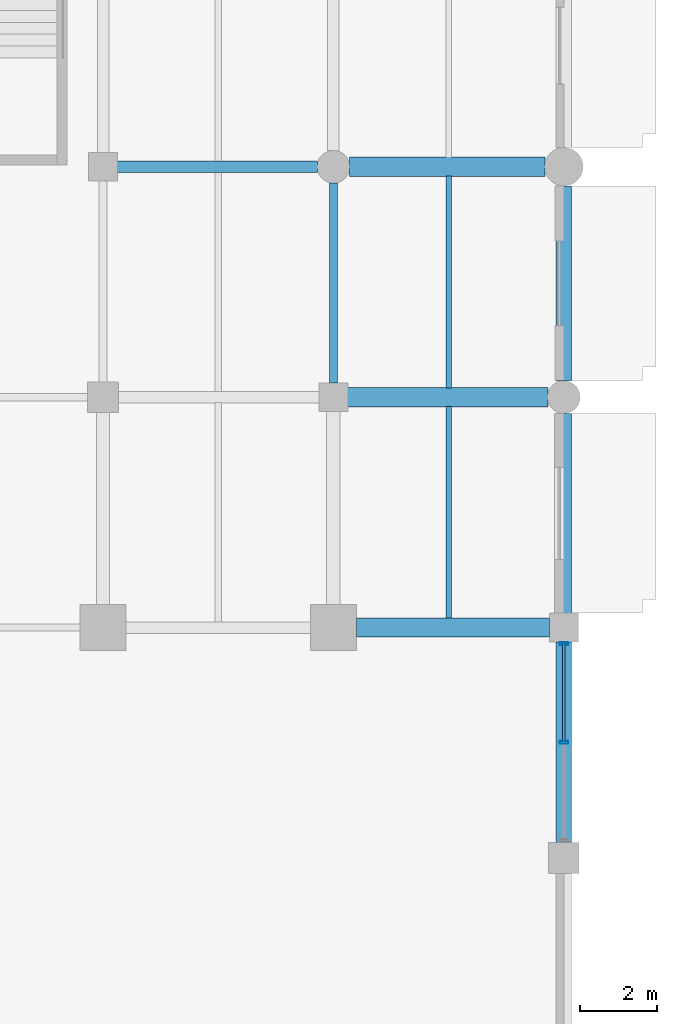
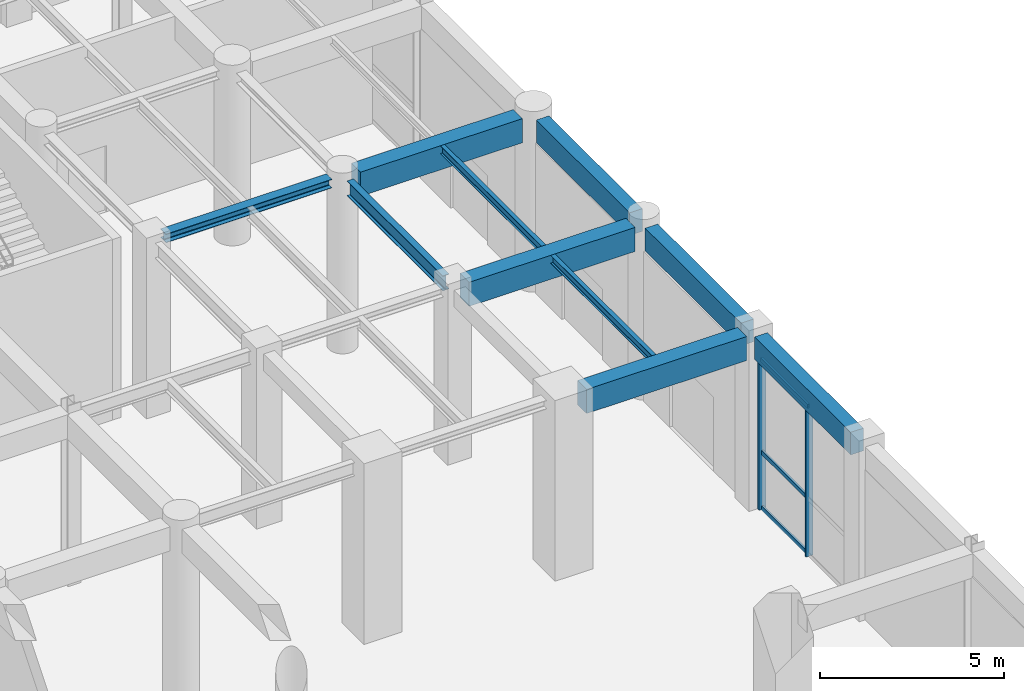
# One storey, part 61 of 106: 10 beams, 5 members, 1 element without a shape of its own.
"""IFC4 building model written with IfcOpenShell, lengths in metres."""

import ifcopenshell
import ifcopenshell.guid

model = None  # the IFC model being written
_history = None  # IfcOwnerHistory: only IFC2X3 demands one
_inside = {}  # id of a spatial element -> (the spatial element, [elements in it])
_under = {}  # id of a project, library or spatial element -> (it, [spatial elements below it])
_declared = {}  # id of a project -> (the project, [libraries it declares])
_typed = {}  # id of a type object -> (the type object, [elements of that type])
_made_of = {}  # id of a material, layer set ... -> (it, [elements and type objects made of it])


def new_model(schema):
    """Start an empty IFC model of exactly this schema.

    Asked for "IFC4X3", IfcOpenShell would pick the latest addendum, in which some entities
    have other attributes; the version numbers below select the first issue.
    IFC2X3 requires an IfcOwnerHistory on every rooted entity: one is made here for all.
    """
    global model, _history
    if schema == "IFC4X3":
        model = ifcopenshell.file(schema_version=(4, 3, 0, 0))
    else:
        model = ifcopenshell.file(schema=schema)
    _inside.clear()
    _under.clear()
    _declared.clear()
    _typed.clear()
    _made_of.clear()
    _history = None
    if model.schema == "IFC2X3":
        org = make("IfcOrganization", Name="unknown")
        user = make(
            "IfcPersonAndOrganization",
            ThePerson=make("IfcPerson", FamilyName="unknown"),
            TheOrganization=org,
        )
        app = make(
            "IfcApplication",
            ApplicationDeveloper=org,
            Version="unknown",
            ApplicationFullName="unknown",
            ApplicationIdentifier="unknown",
        )
        _history = make(
            "IfcOwnerHistory",
            OwningUser=user,
            OwningApplication=app,
            ChangeAction="ADDED",
            CreationDate=0,
        )
    return model


def make(cls, **values):
    """One entity of the class cls with the attributes given. An attribute that is None is left unset."""
    return model.create_entity(
        cls, **{name: value for name, value in values.items() if value is not None}
    )


def rooted(cls, **values):
    """An entity with a GlobalId (a new one), such as an element, a storey or a relation."""
    return make(cls, GlobalId=ifcopenshell.guid.new(), OwnerHistory=_history, **values)


def si_unit(unit_type, name, prefix=None):
    """IfcSIUnit, for example si_unit("LENGTHUNIT", "METRE", prefix="MILLI")."""
    return make("IfcSIUnit", UnitType=unit_type, Prefix=prefix, Name=name)


def assignment(units):
    """IfcUnitAssignment: the units of a project."""
    return None if units is None else make("IfcUnitAssignment", Units=units)


def point(xyz):
    """IfcCartesianPoint."""
    return None if xyz is None else make("IfcCartesianPoint", Coordinates=xyz)


def direction(xyz):
    """IfcDirection."""
    return None if xyz is None else make("IfcDirection", DirectionRatios=xyz)


def frame(location, z_axis=None, x_axis=None):
    """IfcAxis2Placement3D, a coordinate frame: its origin and axes. An axis left out is left unset."""
    return make(
        "IfcAxis2Placement3D",
        Location=point(location),
        Axis=direction(z_axis),
        RefDirection=direction(x_axis),
    )


def frame_2d(location, x_axis=None):
    """IfcAxis2Placement2D, a coordinate frame in the plane: its origin and x axis."""
    return make(
        "IfcAxis2Placement2D", Location=point(location), RefDirection=direction(x_axis)
    )


def origin():
    """The frame at (0, 0, 0) with its axes left unset."""
    return frame((0.0, 0.0, 0.0))


def origin_2d():
    """The frame at (0, 0) in the plane with its x axis left unset."""
    return frame_2d((0.0, 0.0))


def place(relative_to, where):
    """IfcLocalPlacement: puts the frame where relative to a parent placement (None: the world)."""
    return make(
        "IfcLocalPlacement", PlacementRelTo=relative_to, RelativePlacement=where
    )


def context(
    kind, dimensions, precision=None, world=None, true_north=None, identifier=None
):
    """IfcGeometricRepresentationContext, for example the 3D "Model" context."""
    return make(
        "IfcGeometricRepresentationContext",
        ContextIdentifier=identifier,
        ContextType=kind,
        CoordinateSpaceDimension=dimensions,
        Precision=precision,
        WorldCoordinateSystem=world,
        TrueNorth=true_north,
    )


def subcontext(parent, identifier, kind, view, scale=None):
    """IfcGeometricRepresentationSubContext, for example "Body" below "Model"."""
    return make(
        "IfcGeometricRepresentationSubContext",
        ContextIdentifier=identifier,
        ContextType=kind,
        ParentContext=parent,
        TargetScale=scale,
        TargetView=view,
    )


def project(units=None, contexts=None):
    """IfcProject with its units and contexts."""
    return rooted(
        "IfcProject",
        Name="project",
        RepresentationContexts=contexts,
        UnitsInContext=assignment(units),
    )


def spatial(cls, under=None, at=None, **own):
    """A site, building, storey or space (cls), placed at a placement, below another one or the project."""
    s = rooted(cls, ObjectPlacement=at, **own)
    if under is not None:
        _under.setdefault(under.id(), (under, []))[1].append(s)
    return s


def profile(cls, at=None, kind="AREA", **sizes):
    """A parametric profile (cls). Its sizes go by their IFC names, for example OverallWidth=200.0."""
    return make(cls, ProfileType=kind, Position=at, **sizes)


def rectangle(**sizes):
    """IfcRectangleProfileDef."""
    return profile("IfcRectangleProfileDef", **sizes)


def hollow_rectangle(**sizes):
    """IfcRectangleHollowProfileDef."""
    return profile("IfcRectangleHollowProfileDef", **sizes)


def i_section(**sizes):
    """IfcIShapeProfileDef."""
    return profile("IfcIShapeProfileDef", **sizes)


def extrude(swept, where, along, depth):
    """IfcExtrudedAreaSolid: the profile swept, set in the frame where, extruded along a direction by depth."""
    return make(
        "IfcExtrudedAreaSolid",
        SweptArea=swept,
        Position=where,
        ExtrudedDirection=direction(along),
        Depth=depth,
    )


def shape(context_of_items, identifier, shape_type, items):
    """IfcShapeRepresentation: the items that make up one representation, for example the "Body"."""
    return make(
        "IfcShapeRepresentation",
        ContextOfItems=context_of_items,
        RepresentationIdentifier=identifier,
        RepresentationType=shape_type,
        Items=items,
    )


def material(Name=None, Category=None):
    """IfcMaterial."""
    return make("IfcMaterial", Name=Name, Category=Category)


def material_profile(
    of_material, cross_section, Name=None, Category=None, Priority=None
):
    """IfcMaterialProfile: a cross section and its material."""
    return make(
        "IfcMaterialProfile",
        Name=Name,
        Material=of_material,
        Profile=cross_section,
        Priority=Priority,
        Category=Category,
    )


def profile_set(profiles, Name=None, composite=None):
    """IfcMaterialProfileSet."""
    return make(
        "IfcMaterialProfileSet",
        Name=Name,
        MaterialProfiles=profiles,
        CompositeProfile=composite,
    )


def made_of(thing, what):
    """Note that an element or type object is made of a material, layer set ...; save() writes the relation."""
    if what is not None:
        _made_of.setdefault(what.id(), (what, []))[1].append(thing)
    return thing


def type_object(cls, material=None, **own):
    """A type object (cls), such as IfcWallType, which elements share."""
    return made_of(rooted(cls, **own), material)


def element(
    cls,
    number,
    at=None,
    inside=None,
    cuts=None,
    type_object=None,
    material=None,
    context=None,
    identifier="Body",
    shape_type=None,
    held_by="IfcProductDefinitionShape",
    body=None,
    shapes=None,
    **own,
):
    """One element of the class cls, such as IfcWall. Its Tag is "e" and its number.

    at: its placement. inside: the storey or other place that contains it. cuts: it is an
    opening in that element (IfcRelVoidsElement). A single representation is given by context,
    identifier, shape_type and body (its items); several are given by shapes. held_by: the class
    of the entity that holds the representations. save() writes the other relations.
    """
    e = rooted(cls, Tag="e%d" % number, ObjectPlacement=at, **own)
    if body is not None:
        shapes = [shape(context, identifier, shape_type, body)]
    if shapes is not None:
        e.Representation = make(held_by, Representations=shapes)
    if inside is not None:
        _inside.setdefault(inside.id(), (inside, []))[1].append(e)
    if cuts is not None:
        rooted(
            "IfcRelVoidsElement", RelatingBuildingElement=cuts, RelatedOpeningElement=e
        )
    if type_object is not None:
        _typed.setdefault(type_object.id(), (type_object, []))[1].append(e)
    return made_of(e, material)


def aggregate(whole, parts):
    """IfcRelAggregates: a whole, such as a stair, and the parts it consists of."""
    return rooted("IfcRelAggregates", RelatingObject=whole, RelatedObjects=parts)


def save(model, path):
    """Write the relations noted so far, then the file.

    IfcRelAggregates (storeys below a building ...), IfcRelContainedInSpatialStructure (elements
    in a storey), IfcRelDefinesByType, IfcRelAssociatesMaterial and IfcRelDeclares: one each for
    every whole, place, type object, material and project.
    """
    for whole, parts in _under.values():
        aggregate(whole, parts)
    for where, things in _inside.values():
        rooted(
            "IfcRelContainedInSpatialStructure",
            RelatedElements=things,
            RelatingStructure=where,
        )
    for kind, things in _typed.values():
        rooted("IfcRelDefinesByType", RelatedObjects=things, RelatingType=kind)
    for what, things in _made_of.values():
        rooted("IfcRelAssociatesMaterial", RelatedObjects=things, RelatingMaterial=what)
    for by, libraries in _declared.values():
        rooted("IfcRelDeclares", RelatingContext=by, RelatedDefinitions=libraries)
    model.write(path)


model = new_model("IFC4")

# Units and contexts
model_context = context("Model", 3, precision=1e-05, world=origin(), true_north=direction((0.0, 1.0)))
body_context = subcontext(model_context, "Body", "Model", "MODEL_VIEW")
ifc_project = project(units=[si_unit("LENGTHUNIT", "METRE"), si_unit("AREAUNIT", "SQUARE_METRE"), si_unit("VOLUMEUNIT", "CUBIC_METRE"), si_unit("PLANEANGLEUNIT", "RADIAN"), si_unit("MASSUNIT", "GRAM", prefix="KILO"), si_unit("THERMODYNAMICTEMPERATUREUNIT", "KELVIN"), si_unit("POWERUNIT", "WATT")], contexts=[model_context])

# Site, building, storey
site_placement = place(None, origin())
site = spatial("IfcSite", under=ifc_project, at=site_placement, CompositionType="ELEMENT")
building_placement = place(site_placement, origin())
building = spatial("IfcBuilding", under=site, at=building_placement, Name="Phaisarnlok Congress Hotel", CompositionType="ELEMENT")
storey_placement = place(building_placement, origin())
storey = spatial("IfcBuildingStorey", under=building, at=storey_placement, Name="L00", CompositionType="ELEMENT", Elevation=0.0)

# Beams
ifc_material_1 = material(Name="Concrete C40/50", Category="concrete")
ifc_material_profile_1 = material_profile(ifc_material_1, rectangle(XDim=0.5, YDim=0.800048828125, at=origin_2d()), Name="RC 500x800")
ifc_profile_set_1 = profile_set([ifc_material_profile_1], Name="Concrete C40/50")
beam_type_1 = type_object("IfcBeamType", Name="BM-RC-500x800", PredefinedType="BEAM", material=ifc_profile_set_1)
beam_1_placement = place(storey_placement, frame((174.594970703125, 66.0, 5.340087890625), z_axis=(1.0, 0.0, 0.0), x_axis=(0.0, 1.0, 0.0)))
element("IfcBeam", 1, at=beam_1_placement, inside=storey, type_object=beam_type_1, Name="Beam B-04", PredefinedType="BEAM", context=body_context, shape_type="SweptSolid", body=[
    extrude(rectangle(XDim=0.5, YDim=0.800048828125, at=origin_2d()), origin(), (0.0, 0.0, 1.0), 5.034912109375),
])
beam_2_placement = place(storey_placement, frame((174.3701171875, 72.0, 5.340087890625), z_axis=(1.0, 0.0, 0.0), x_axis=(0.0, 1.0, 0.0)))
element("IfcBeam", 2, at=beam_2_placement, inside=storey, type_object=beam_type_1, Name="Beam B-04", PredefinedType="BEAM", context=body_context, shape_type="SweptSolid", body=[
    extrude(rectangle(XDim=0.5, YDim=0.800048828125, at=origin_2d()), origin(), (0.0, 0.0, 1.0), 5.2099609375),
])
beam_3_placement = place(storey_placement, frame((174.419921875, 78.0, 5.340087890625), z_axis=(1.0, 0.0, 0.0), x_axis=(0.0, 1.0, 0.0)))
element("IfcBeam", 3, at=beam_3_placement, inside=storey, type_object=beam_type_1, Name="Beam B-04", PredefinedType="BEAM", context=body_context, shape_type="SweptSolid", body=[
    extrude(rectangle(XDim=0.5, YDim=0.800048828125, at=origin_2d()), origin(), (0.0, 0.0, 1.0), 5.0849609375),
])
ifc_material_2 = material(Name="Steel S355", Category="steel")
ifc_material_profile_2 = material_profile(ifc_material_2, i_section(OverallWidth=0.300048828125, OverallDepth=0.2900390625, WebThickness=0.008544921875, FlangeThickness=0.013916015625, FilletRadius=0.027099609375, at=origin_2d()), Name="HEA 300")
ifc_profile_set_2 = profile_set([ifc_material_profile_2], Name="Steel S355")
beam_type_2 = type_object("IfcBeamType", Name="BM-STL-HEA300", PredefinedType="BEAM", material=ifc_profile_set_2)
beam_4_placement = place(storey_placement, frame((168.3701171875, 78.0, 5.594970703125), z_axis=(1.0, 0.0, 0.0), x_axis=(0.0, 1.0, 0.0)))
element("IfcBeam", 4, at=beam_4_placement, inside=storey, type_object=beam_type_2, Name="Beam SB-05", PredefinedType="BEAM", context=body_context, shape_type="SweptSolid", body=[
    extrude(i_section(OverallWidth=0.300048828125, OverallDepth=0.2900390625, WebThickness=0.008544921875, FlangeThickness=0.013916015625, FilletRadius=0.027099609375, at=origin_2d()), origin(), (0.0, 0.0, 1.0), 5.2099609375),
])
ifc_material_profile_3 = material_profile(ifc_material_2, i_section(OverallWidth=0.199951171875, OverallDepth=0.5, WebThickness=0.01025390625, FlangeThickness=0.01611328125, FilletRadius=0.02099609375, at=origin_2d()), Name="IPE 500")
ifc_profile_set_3 = profile_set([ifc_material_profile_3], Name="Steel S355")
beam_type_3 = type_object("IfcBeamType", Name="BM-STL-IPE500", PredefinedType="BEAM", material=ifc_profile_set_3)
beam_5_placement = place(storey_placement, frame((174.0, 72.3701171875, 5.489990234375), z_axis=(0.0, 1.0, 0.0), x_axis=(-1.0, 0.0, 0.0)))
element("IfcBeam", 5, at=beam_5_placement, inside=storey, type_object=beam_type_3, Name="Beam SB-02", PredefinedType="BEAM", context=body_context, shape_type="SweptSolid", body=[
    extrude(i_section(OverallWidth=0.199951171875, OverallDepth=0.5, WebThickness=0.01025390625, FlangeThickness=0.01611328125, FilletRadius=0.02099609375, at=origin_2d()), origin(), (0.0, 0.0, 1.0), 5.2099609375),
])

# Curtain wall, members
ifc_material_3 = material(Name="Thermally Broken Unitised Aluminium & Low-E Glazing", Category="aluminium")
curtain_wall_type = type_object("IfcCurtainWallType", Name="CW-UNIT-03", PredefinedType="NOTDEFINED", material=ifc_material_3)
curtain_wall_placement = place(storey_placement, origin())
curtain_wall = element("IfcCurtainWall", 6, at=curtain_wall_placement, inside=storey, type_object=curtain_wall_type, Name="Unitised curtain wall CW-03 (L00)", PredefinedType="NOTDEFINED")
ifc_material_4 = material(Name="Anodised Aluminium Alloy 6063-T6", Category="aluminium")
ifc_material_profile_4 = material_profile(ifc_material_4, hollow_rectangle(XDim=0.074951171875, YDim=0.219970703125, WallThickness=0.0048828125, at=origin_2d()), Name="ALU-M 75x220x5")
ifc_profile_set_4 = profile_set([ifc_material_profile_4], Name="Anodised Aluminium Alloy 6063-T6")
member_type_1 = type_object("IfcMemberType", Name="CWM-220", PredefinedType="MULLION", material=ifc_profile_set_4)
member_1_placement = place(storey_placement, frame((180.0, 63.012451171875, 0.0), z_axis=(0.0, 0.0, 1.0), x_axis=(0.0, 1.0, 0.0)))
member_1 = element("IfcMember", 7, at=member_1_placement, type_object=member_type_1, Name="Curtain wall mullion CWM-02", PredefinedType="MULLION", context=body_context, shape_type="SweptSolid", body=[
    extrude(hollow_rectangle(XDim=0.074951171875, YDim=0.219970703125, WallThickness=0.0048828125, at=origin_2d()), origin(), (0.0, 0.0, 1.0), 4.989990234375),
])
member_2_placement = place(storey_placement, frame((180.0, 65.574951171875, 0.0), z_axis=(0.0, 0.0, 1.0), x_axis=(0.0, 1.0, 0.0)))
member_2 = element("IfcMember", 8, at=member_2_placement, type_object=member_type_1, Name="Curtain wall mullion CWM-02", PredefinedType="MULLION", context=body_context, shape_type="SweptSolid", body=[
    extrude(hollow_rectangle(XDim=0.074951171875, YDim=0.219970703125, WallThickness=0.0048828125, at=origin_2d()), origin(), (0.0, 0.0, 1.0), 4.989990234375),
])
ifc_material_profile_5 = material_profile(ifc_material_4, hollow_rectangle(XDim=0.06494140625, YDim=0.139892578125, WallThickness=0.00390625, at=origin_2d()), Name="ALU-T 65x140x4")
ifc_profile_set_5 = profile_set([ifc_material_profile_5], Name="Anodised Aluminium Alloy 6063-T6")
member_type_2 = type_object("IfcMemberType", Name="CWT-150", PredefinedType="USERDEFINED", material=ifc_profile_set_5)
member_3_placement = place(storey_placement, frame((180.0, 63.027587890625, 0.050048828125), z_axis=(0.0, 1.0, 0.0), x_axis=(-1.0, 0.0, 0.0)))
member_3 = element("IfcMember", 9, at=member_3_placement, type_object=member_type_2, Name="Curtain wall transom CWT-01", ObjectType="TRANSOM", PredefinedType="USERDEFINED", context=body_context, shape_type="SweptSolid", body=[
    extrude(hollow_rectangle(XDim=0.06494140625, YDim=0.139892578125, WallThickness=0.00390625, at=origin_2d()), origin(), (0.0, 0.0, 1.0), 2.572509765625),
])
member_4_placement = place(storey_placement, frame((180.0, 63.027587890625, 1.896240234375), z_axis=(0.0, 1.0, 0.0), x_axis=(-1.0, 0.0, 0.0)))
member_4 = element("IfcMember", 10, at=member_4_placement, type_object=member_type_2, Name="Curtain wall transom CWT-01", ObjectType="TRANSOM", PredefinedType="USERDEFINED", context=body_context, shape_type="SweptSolid", body=[
    extrude(hollow_rectangle(XDim=0.06494140625, YDim=0.139892578125, WallThickness=0.00390625, at=origin_2d()), origin(), (0.0, 0.0, 1.0), 2.572509765625),
])
member_5_placement = place(storey_placement, frame((180.0, 63.027587890625, 4.93994140625), z_axis=(0.0, 1.0, 0.0), x_axis=(-1.0, 0.0, 0.0)))
member_5 = element("IfcMember", 11, at=member_5_placement, type_object=member_type_2, Name="Curtain wall transom CWT-01", ObjectType="TRANSOM", PredefinedType="USERDEFINED", context=body_context, shape_type="SweptSolid", body=[
    extrude(hollow_rectangle(XDim=0.06494140625, YDim=0.139892578125, WallThickness=0.00390625, at=origin_2d()), origin(), (0.0, 0.0, 1.0), 2.572509765625),
])
aggregate(curtain_wall, [member_1, member_2, member_3, member_4, member_5])

# Beams
ifc_material_profile_6 = material_profile(ifc_material_2, i_section(OverallWidth=0.135009765625, OverallDepth=0.27001953125, WebThickness=0.006591796875, FlangeThickness=0.01025390625, FilletRadius=0.014892578125, at=origin_2d()), Name="IPE 270")
ifc_profile_set_6 = profile_set([ifc_material_profile_6], Name="Steel S355")
beam_type_4 = type_object("IfcBeamType", Name="JS-STL-IPE270", PredefinedType="JOIST", material=ifc_profile_set_6)
for number, where, z_axis, x_axis, name in (
    (12, (177.0, 66.2451171875, 5.60498046875), (0.0, 1.0, 0.0), (-1.0, 0.0, 0.0), "Secondary floor joist J-02"),
    (13, (177.0, 72.2451171875, 5.60498046875), (0.0, 1.0, 0.0), (-1.0, 0.0, 0.0), "Secondary floor joist J-02"),
):
    element("IfcBeam", number, at=place(storey_placement, frame(where, z_axis=z_axis, x_axis=x_axis)), inside=storey, type_object=beam_type_4, Name=name, PredefinedType="JOIST", context=body_context, shape_type="SweptSolid", body=[
        extrude(i_section(OverallWidth=0.135009765625, OverallDepth=0.27001953125, WebThickness=0.006591796875, FlangeThickness=0.01025390625, FilletRadius=0.014892578125, at=origin_2d()), origin(), (0.0, 0.0, 1.0), 5.509765625),
    ])
ifc_material_profile_7 = material_profile(ifc_material_1, rectangle(XDim=0.39990234375, YDim=0.75, at=origin_2d()), Name="RC 400x750")
ifc_profile_set_7 = profile_set([ifc_material_profile_7], Name="Concrete C40/50")
beam_type_5 = type_object("IfcBeamType", Name="SP-RC-400x750", PredefinedType="SPANDREL", material=ifc_profile_set_7)
beam_6_placement = place(storey_placement, frame((180.0, 60.39501953125, 5.364990234375), z_axis=(0.0, 1.0, 0.0), x_axis=(-1.0, 0.0, 0.0)))
element("IfcBeam", 14, at=beam_6_placement, inside=storey, type_object=beam_type_5, Name="Beam SP-02", PredefinedType="SPANDREL", context=body_context, shape_type="SweptSolid", body=[
    extrude(rectangle(XDim=0.39990234375, YDim=0.75, at=origin_2d()), origin(), (0.0, 0.0, 1.0), 5.23486328125),
])
beam_7_placement = place(storey_placement, frame((180.0, 66.3701171875, 5.364990234375), z_axis=(0.0, 1.0, 0.0), x_axis=(-1.0, 0.0, 0.0)))
element("IfcBeam", 15, at=beam_7_placement, inside=storey, type_object=beam_type_5, Name="Beam SP-02", PredefinedType="SPANDREL", context=body_context, shape_type="SweptSolid", body=[
    extrude(rectangle(XDim=0.39990234375, YDim=0.75, at=origin_2d()), origin(), (0.0, 0.0, 1.0), 5.2099609375),
])
beam_8_placement = place(storey_placement, frame((180.0, 72.419921875, 5.364990234375), z_axis=(0.0, 1.0, 0.0), x_axis=(-1.0, 0.0, 0.0)))
element("IfcBeam", 16, at=beam_8_placement, inside=storey, type_object=beam_type_5, Name="Beam SP-02", PredefinedType="SPANDREL", context=body_context, shape_type="SweptSolid", body=[
    extrude(rectangle(XDim=0.39990234375, YDim=0.75, at=origin_2d()), origin(), (0.0, 0.0, 1.0), 5.0849609375),
])

save(model, "model.ifc")
